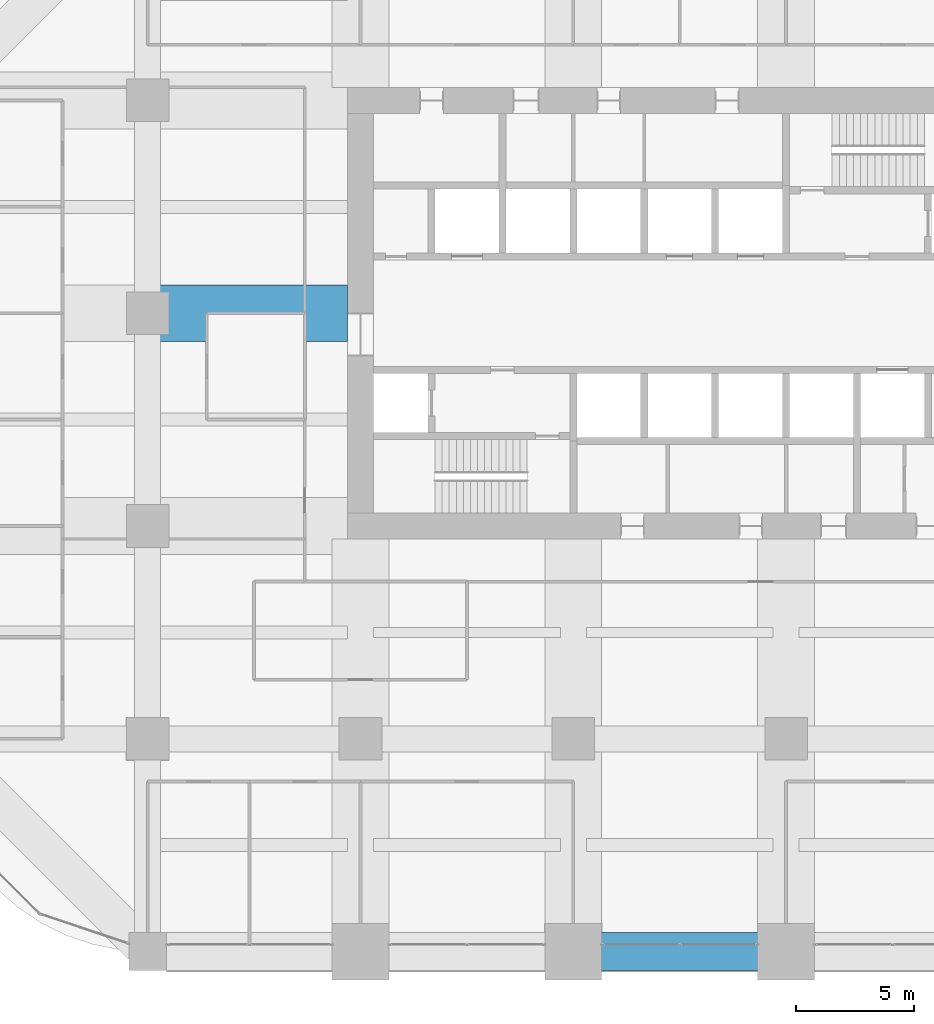
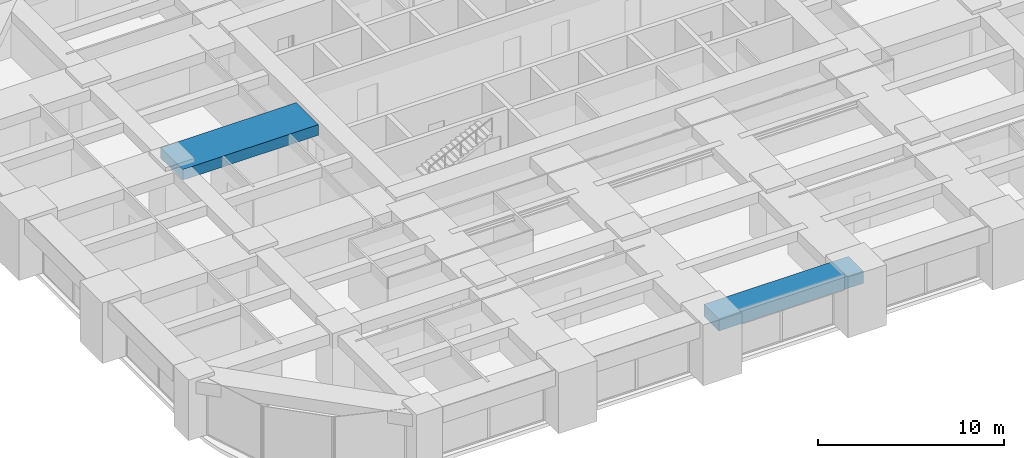
# One storey, part 12 of 43: 2 beams.
"""IFC4 building model written with IfcOpenShell, lengths in metres."""

from ifc_helpers import new_model, si_unit, direction, frame, origin, origin_2d, place, context, subcontext, project, spatial, rectangle, extrude, material, material_profile, profile_set, type_object, element, save


model = new_model("IFC4")

# Units and contexts
model_context = context("Model", 3, precision=1e-05, world=origin(), true_north=direction((0.0, 1.0)))
body_context = subcontext(model_context, "Body", "Model", "MODEL_VIEW")
ifc_project = project(units=[si_unit("LENGTHUNIT", "METRE"), si_unit("AREAUNIT", "SQUARE_METRE"), si_unit("VOLUMEUNIT", "CUBIC_METRE"), si_unit("PLANEANGLEUNIT", "RADIAN"), si_unit("MASSUNIT", "GRAM", prefix="KILO")], contexts=[model_context])

# Site, building, storey
site_placement = place(None, origin())
site = spatial("IfcSite", under=ifc_project, at=site_placement, CompositionType="ELEMENT")
building_placement = place(site_placement, origin())
building = spatial("IfcBuilding", under=site, at=building_placement, Name="Zorevar Civic Tower", CompositionType="ELEMENT")
storey_placement = place(building_placement, frame((0.0, 0.0, 145.0)))
storey = spatial("IfcBuildingStorey", under=building, at=storey_placement, Name="L35", CompositionType="ELEMENT", Elevation=145.0)

# Beams
ifc_material_1 = material(Name="Concrete C50/60", Category="concrete")
ifc_material_profile_1 = material_profile(ifc_material_1, rectangle(XDim=2.39990234375, YDim=0.699951171875, at=origin_2d()), Name="RC 2400x700")
ifc_profile_set_1 = profile_set([ifc_material_profile_1], Name="Concrete C50/60")
beam_type_1 = type_object("IfcBeamType", Name="Beam RC 2400x700", PredefinedType="BEAM", material=ifc_profile_set_1)
beam_1_placement = place(storey_placement, frame((9.0, 27.0, 3.39990234375), z_axis=(1.0, 0.0, 0.0), x_axis=(0.0, 1.0, 0.0)))
element("IfcBeam", 1, at=beam_1_placement, inside=storey, type_object=beam_type_1, Name="Girder L36", PredefinedType="BEAM", context=body_context, shape_type="SweptSolid", body=[
    extrude(rectangle(XDim=2.39990234375, YDim=0.699951171875, at=origin_2d()), origin(), (0.0, 0.0, 1.0), 8.449951171875),
])
ifc_material_2 = material(Name="Concrete C50/60", Category="concrete")
ifc_material_profile_2 = material_profile(ifc_material_2, rectangle(XDim=1.60009765625, YDim=0.800048828125, at=origin_2d()), Name="RC 1600x800")
ifc_profile_set_2 = profile_set([ifc_material_profile_2], Name="Concrete C50/60")
beam_type_2 = type_object("IfcBeamType", Name="Edge beam RC 1600x800", PredefinedType="SPANDREL", material=ifc_profile_set_2)
beam_2_placement = place(storey_placement, frame((27.0, 0.0, 3.35009765625), z_axis=(1.0, 0.0, 0.0), x_axis=(0.0, 1.0, 0.0)))
element("IfcBeam", 2, at=beam_2_placement, inside=storey, type_object=beam_type_2, Name="Edge beam L36", PredefinedType="SPANDREL", context=body_context, shape_type="SweptSolid", body=[
    extrude(rectangle(XDim=1.60009765625, YDim=0.800048828125, at=origin_2d()), origin(), (0.0, 0.0, 1.0), 9.0),
])

save(model, "model.ifc")
